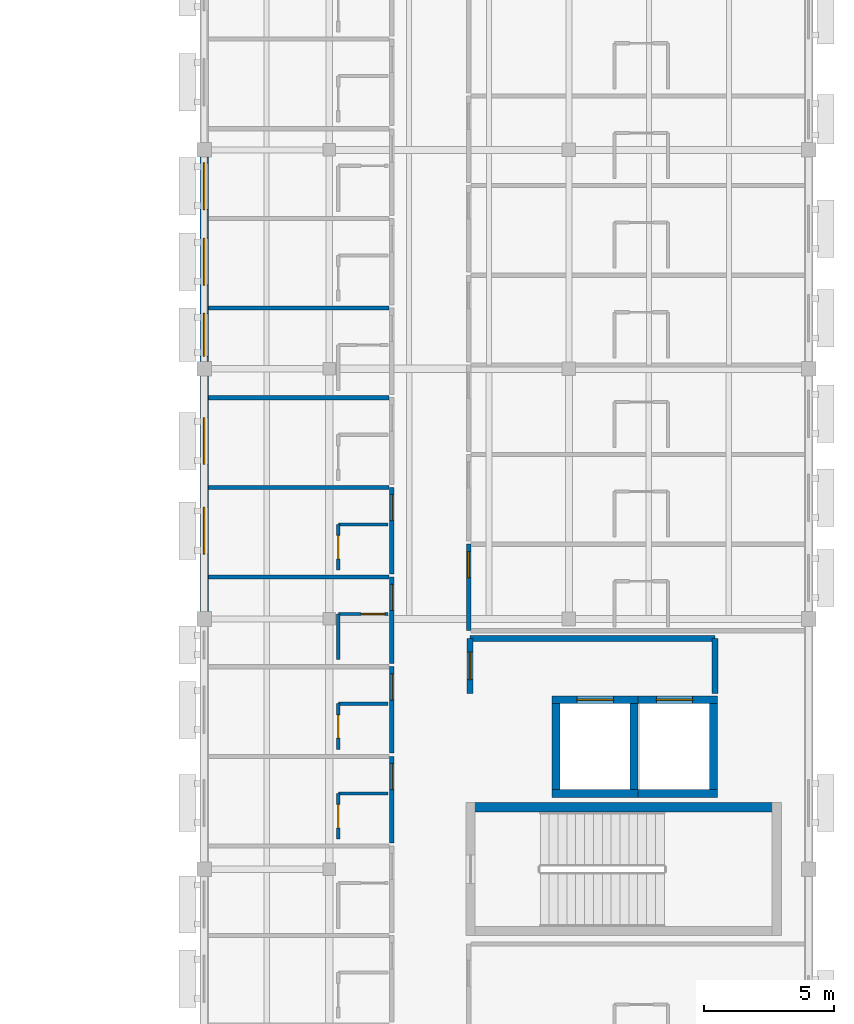
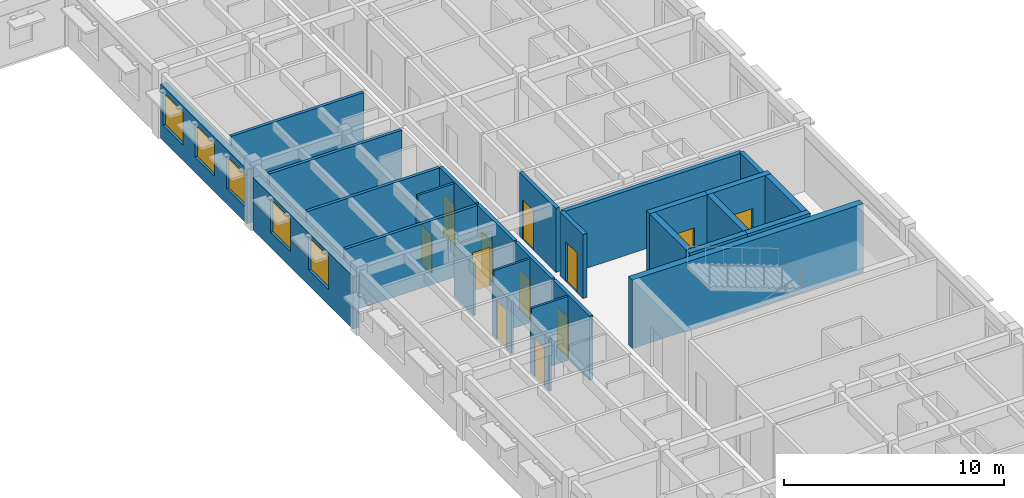
# One storey, part 13 of 31: 30 walls, 12 doors, 5 windows, 17 openings.
"""IFC4 building model written with IfcOpenShell, lengths in metres."""

from ifc_helpers import new_model, si_unit, direction, frame, frame_2d, origin, place, context, subcontext, project, spatial, rectangle, extrude, material, layer, layer_set, type_object, element, fill, save


model = new_model("IFC4")

# Units and contexts
model_context = context("Model", 3, precision=1e-05, world=origin(), true_north=direction((0.0, 1.0)))
body_context = subcontext(model_context, "Body", "Model", "MODEL_VIEW")
ifc_project = project(units=[si_unit("LENGTHUNIT", "METRE"), si_unit("AREAUNIT", "SQUARE_METRE"), si_unit("VOLUMEUNIT", "CUBIC_METRE"), si_unit("PLANEANGLEUNIT", "RADIAN"), si_unit("MASSUNIT", "GRAM", prefix="KILO")], contexts=[model_context])

# Site, building, storey
site_placement = place(None, origin())
site = spatial("IfcSite", under=ifc_project, at=site_placement, CompositionType="ELEMENT")
building_placement = place(site_placement, origin())
building = spatial("IfcBuilding", under=site, at=building_placement, Name="Veldera Park Congress Hotel", CompositionType="ELEMENT")
storey_placement = place(building_placement, frame((0.0, 0.0, 20.0)))
storey = spatial("IfcBuildingStorey", under=building, at=storey_placement, Name="L04", CompositionType="ELEMENT", Elevation=20.0)

# Wall, openings, windows
ifc_material_1 = material(Name="Cross-laminated timber CLT V2M1.1", Category="wood")
ifc_layer_1 = layer(ifc_material_1, 0.320068359375)
ifc_layer_set_1 = layer_set([ifc_layer_1], Name="Cross-laminated timber CLT V2M1.1")
wall_type_1 = type_object("IfcWallType", Name="EW-CLT320", PredefinedType="STANDARD", material=ifc_layer_set_1)
wall_1_placement = place(storey_placement, frame((60.800048828125, 18.322021484375, 0.0), z_axis=(0.0, 0.0, 1.0), x_axis=(0.0, -1.0, 0.0)))
wall_1 = element("IfcWall", 1, at=wall_1_placement, inside=storey, type_object=wall_type_1, Name="L04 Exterior Wall EW3-L04-0268", PredefinedType="STANDARD", context=body_context, shape_type="SweptSolid", body=[
    extrude(rectangle(XDim=7.843994140625, YDim=0.320068359375, at=frame_2d((3.921875, 0.0))), origin(), (0.0, 0.0, 1.0), 3.0048828125),
])
opening_1_placement = place(wall_1_placement, frame((5.992919921875, 0.0, 0.85009765625)))
opening_1 = element("IfcOpeningElement", 2, at=opening_1_placement, cuts=wall_1, Name="Opening WIN-1650", PredefinedType="OPENING", context=body_context, shape_type="SweptSolid", body=[
    extrude(rectangle(XDim=1.64990234375, YDim=1.800048828125, at=frame_2d((0.824951171875, 0.89990234375))), frame((0.0, 0.172119140625, 0.0), z_axis=(0.0, -1.0, 0.0), x_axis=(1.0, 0.0, 0.0)), (0.0, 0.0, 1.0), 0.343994140625),
])
opening_2_placement = place(wall_1_placement, frame((3.112060546875, 0.0, 0.85009765625)))
opening_2 = element("IfcOpeningElement", 3, at=opening_2_placement, cuts=wall_1, Name="Opening WIN-1800", PredefinedType="OPENING", context=body_context, shape_type="SweptSolid", body=[
    extrude(rectangle(XDim=1.800048828125, YDim=1.85009765625, at=frame_2d((0.89990234375, 0.925048828125))), frame((0.0, 0.172119140625, 0.0), z_axis=(0.0, -1.0, 0.0), x_axis=(1.0, 0.0, 0.0)), (0.0, 0.0, 1.0), 0.343994140625),
])
opening_3_placement = place(wall_1_placement, frame((0.216064453125, 0.0, 0.85009765625)))
opening_3 = element("IfcOpeningElement", 4, at=opening_3_placement, cuts=wall_1, Name="Opening WIN-1800", PredefinedType="OPENING", context=body_context, shape_type="SweptSolid", body=[
    extrude(rectangle(XDim=1.800048828125, YDim=1.85009765625, at=frame_2d((0.89990234375, 0.925048828125))), frame((0.0, 0.172119140625, 0.0), z_axis=(0.0, -1.0, 0.0), x_axis=(1.0, 0.0, 0.0)), (0.0, 0.0, 1.0), 0.343994140625),
])
ifc_material_2 = material(Name="Low-E Triple Insulating Glass Unit (SHGC 0.22)", Category="glass")
window_type_1 = type_object("IfcWindowType", Name="WIN-1650", PartitioningType="SINGLE_PANEL", PredefinedType="WINDOW", material=ifc_material_2)
window_1_placement = place(opening_1_placement, origin())
window_1 = element("IfcWindow", 5, at=window_1_placement, inside=storey, type_object=window_type_1, Name="L04 Window WIN-1650 452", OverallHeight=1.800048828125, OverallWidth=1.64990234375, PartitioningType="SINGLE_PANEL", PredefinedType="WINDOW", context=body_context, shape_type="SweptSolid", body=[
    extrude(rectangle(XDim=1.64990234375, YDim=1.800048828125, at=frame_2d((0.824951171875, 0.89990234375))), frame((0.0, 0.030029296875, 0.0), z_axis=(0.0, -1.0, 0.0), x_axis=(1.0, 0.0, 0.0)), (0.0, 0.0, 1.0), 0.06005859375),
])
fill(opening_1, window_1)
window_type_2 = type_object("IfcWindowType", Name="WIN-1800", PartitioningType="SINGLE_PANEL", PredefinedType="WINDOW", material=ifc_material_2)
window_2_placement = place(opening_2_placement, origin())
window_2 = element("IfcWindow", 6, at=window_2_placement, inside=storey, type_object=window_type_2, Name="L04 Window WIN-1800 453", OverallHeight=1.85009765625, OverallWidth=1.800048828125, PartitioningType="SINGLE_PANEL", PredefinedType="WINDOW", context=body_context, shape_type="SweptSolid", body=[
    extrude(rectangle(XDim=1.800048828125, YDim=1.85009765625, at=frame_2d((0.89990234375, 0.925048828125))), frame((0.0, 0.030029296875, 0.0), z_axis=(0.0, -1.0, 0.0), x_axis=(1.0, 0.0, 0.0)), (0.0, 0.0, 1.0), 0.06005859375),
])
fill(opening_2, window_2)
window_3_placement = place(opening_3_placement, origin())
window_3 = element("IfcWindow", 7, at=window_3_placement, inside=storey, type_object=window_type_2, Name="L04 Window WIN-1800 454", OverallHeight=1.85009765625, OverallWidth=1.800048828125, PartitioningType="SINGLE_PANEL", PredefinedType="WINDOW", context=body_context, shape_type="SweptSolid", body=[
    extrude(rectangle(XDim=1.800048828125, YDim=1.85009765625, at=frame_2d((0.89990234375, 0.925048828125))), frame((0.0, 0.030029296875, 0.0), z_axis=(0.0, -1.0, 0.0), x_axis=(1.0, 0.0, 0.0)), (0.0, 0.0, 1.0), 0.06005859375),
])
fill(opening_3, window_3)

wall_2_placement = place(storey_placement, frame((60.800048828125, 9.922119140625, 0.0), z_axis=(0.0, 0.0, 1.0), x_axis=(0.0, -1.0, 0.0)))
wall_2 = element("IfcWall", 8, at=wall_2_placement, inside=storey, type_object=wall_type_1, Name="L04 Exterior Wall EW3-L04-0269", PredefinedType="STANDARD", context=body_context, shape_type="SweptSolid", body=[
    extrude(rectangle(XDim=9.044189453125, YDim=0.320068359375, at=frame_2d((4.52197265625, 0.0))), origin(), (0.0, 0.0, 1.0), 2.905029296875),
])
opening_4_placement = place(wall_2_placement, frame((5.031982421875, 0.0, 0.85009765625)))
opening_4 = element("IfcOpeningElement", 9, at=opening_4_placement, cuts=wall_2, Name="Opening WIN-1800", PredefinedType="OPENING", context=body_context, shape_type="SweptSolid", body=[
    extrude(rectangle(XDim=1.800048828125, YDim=1.85009765625, at=frame_2d((0.89990234375, 0.925048828125))), frame((0.0, 0.172119140625, 0.0), z_axis=(0.0, -1.0, 0.0), x_axis=(1.0, 0.0, 0.0)), (0.0, 0.0, 1.0), 0.343994140625),
])
opening_5_placement = place(wall_2_placement, frame((1.592041015625, 0.0, 0.85009765625)))
opening_5 = element("IfcOpeningElement", 10, at=opening_5_placement, cuts=wall_2, Name="Opening WIN-1800", PredefinedType="OPENING", context=body_context, shape_type="SweptSolid", body=[
    extrude(rectangle(XDim=1.800048828125, YDim=1.85009765625, at=frame_2d((0.89990234375, 0.925048828125))), frame((0.0, 0.172119140625, 0.0), z_axis=(0.0, -1.0, 0.0), x_axis=(1.0, 0.0, 0.0)), (0.0, 0.0, 1.0), 0.343994140625),
])
window_4_placement = place(opening_4_placement, origin())
window_4 = element("IfcWindow", 11, at=window_4_placement, inside=storey, type_object=window_type_2, Name="L04 Window WIN-1800 450", OverallHeight=1.85009765625, OverallWidth=1.800048828125, PartitioningType="SINGLE_PANEL", PredefinedType="WINDOW", context=body_context, shape_type="SweptSolid", body=[
    extrude(rectangle(XDim=1.800048828125, YDim=1.85009765625, at=frame_2d((0.89990234375, 0.925048828125))), frame((0.0, 0.030029296875, 0.0), z_axis=(0.0, -1.0, 0.0), x_axis=(1.0, 0.0, 0.0)), (0.0, 0.0, 1.0), 0.06005859375),
])
fill(opening_4, window_4)
window_5_placement = place(opening_5_placement, origin())
window_5 = element("IfcWindow", 12, at=window_5_placement, inside=storey, type_object=window_type_2, Name="L04 Window WIN-1800 451", OverallHeight=1.85009765625, OverallWidth=1.800048828125, PartitioningType="SINGLE_PANEL", PredefinedType="WINDOW", context=body_context, shape_type="SweptSolid", body=[
    extrude(rectangle(XDim=1.800048828125, YDim=1.85009765625, at=frame_2d((0.89990234375, 0.925048828125))), frame((0.0, 0.030029296875, 0.0), z_axis=(0.0, -1.0, 0.0), x_axis=(1.0, 0.0, 0.0)), (0.0, 0.0, 1.0), 0.06005859375),
])
fill(opening_5, window_5)

# Wall, opening, door
ifc_material_3 = material(Name="Fire-Rated Gypsum Board on Cold-Formed Steel Studs", Category="steel")
ifc_layer_2 = layer(ifc_material_3, 0.1201171875)
ifc_layer_set_2 = layer_set([ifc_layer_2], Name="Fire-Rated Gypsum Board on Cold-Formed Steel Studs")
wall_type_2 = type_object("IfcWallType", Name="IW-BATH120", PredefinedType="PARTITIONING", material=ifc_layer_set_2)
wall_3_placement = place(storey_placement, frame((65.949951171875, -7.840087890625, 0.0), z_axis=(0.0, 0.0, 1.0), x_axis=(0.0, 1.0, 0.0)))
wall_3 = element("IfcWall", 13, at=wall_3_placement, inside=storey, type_object=wall_type_2, Name="L04 Partition Wall IW3-L04-00841", PredefinedType="PARTITIONING", context=body_context, shape_type="SweptSolid", body=[
    extrude(rectangle(XDim=1.75, YDim=0.1201171875, at=frame_2d((0.875, 0.0))), origin(), (0.0, 0.0, 1.0), 2.905029296875),
])
opening_6_placement = place(wall_3_placement, frame((0.425048828125, 0.0, 0.0)))
opening_6 = element("IfcOpeningElement", 14, at=opening_6_placement, cuts=wall_3, Name="Opening ID-BATH090", PredefinedType="OPENING", context=body_context, shape_type="SweptSolid", body=[
    extrude(rectangle(XDim=0.89990234375, YDim=2.14990234375, at=frame_2d((0.449951171875, 1.074951171875))), frame((0.0, 0.072021484375, 0.0), z_axis=(0.0, -1.0, 0.0), x_axis=(1.0, 0.0, 0.0)), (0.0, 0.0, 1.0), 0.14404296875),
])
ifc_material_4 = material(Name="Solid Core White Oak Architectural Door", Category="wood")
door_type_1 = type_object("IfcDoorType", Name="ID-BATH090", OperationType="NOTDEFINED", PredefinedType="DOOR", material=ifc_material_4)
door_1_placement = place(opening_6_placement, origin())
door_1 = element("IfcDoor", 15, at=door_1_placement, inside=storey, type_object=door_type_1, Name="L04 En-suite 104 Door ID3-L04-0347 (DR3-ID3-L04-0347)", OperationType="SINGLE_SWING_LEFT", OverallHeight=2.14990234375, OverallWidth=0.89990234375, PredefinedType="DOOR", context=body_context, shape_type="SweptSolid", body=[
    extrude(rectangle(XDim=0.89990234375, YDim=2.14990234375, at=frame_2d((0.449951171875, 1.074951171875))), frame((0.0, 0.02490234375, 0.0), z_axis=(0.0, -1.0, 0.0), x_axis=(1.0, 0.0, 0.0)), (0.0, 0.0, 1.0), 0.050048828125),
])
fill(opening_6, door_1)

# Wall
wall_4_placement = place(storey_placement, frame((65.949951171875, -6.090087890625, 0.0), z_axis=(0.0, 0.0, 1.0), x_axis=(1.0, 0.0, 0.0)))
element("IfcWall", 16, at=wall_4_placement, inside=storey, type_object=wall_type_2, Name="L04 Partition Wall IW3-L04-00842", PredefinedType="PARTITIONING", context=body_context, shape_type="SweptSolid", body=[
    extrude(rectangle(XDim=1.900146484375, YDim=0.1201171875, at=frame_2d((0.9501953125, 0.0))), origin(), (0.0, 0.0, 1.0), 3.550048828125),
])

# Wall, opening, door
wall_5_placement = place(storey_placement, frame((65.949951171875, -4.39990234375, 0.0), z_axis=(0.0, 0.0, 1.0), x_axis=(0.0, 1.0, 0.0)))
wall_5 = element("IfcWall", 17, at=wall_5_placement, inside=storey, type_object=wall_type_2, Name="L04 Partition Wall IW3-L04-00845", PredefinedType="PARTITIONING", context=body_context, shape_type="SweptSolid", body=[
    extrude(rectangle(XDim=1.75, YDim=0.1201171875, at=frame_2d((0.875, 0.0))), origin(), (0.0, 0.0, 1.0), 2.905029296875),
])
opening_7_placement = place(wall_5_placement, frame((0.425048828125, 0.0, 0.0)))
opening_7 = element("IfcOpeningElement", 18, at=opening_7_placement, cuts=wall_5, Name="Opening ID-BATH090", PredefinedType="OPENING", context=body_context, shape_type="SweptSolid", body=[
    extrude(rectangle(XDim=0.89990234375, YDim=2.14990234375, at=frame_2d((0.449951171875, 1.074951171875))), frame((0.0, 0.072021484375, 0.0), z_axis=(0.0, -1.0, 0.0), x_axis=(1.0, 0.0, 0.0)), (0.0, 0.0, 1.0), 0.14404296875),
])
door_2_placement = place(opening_7_placement, origin())
door_2 = element("IfcDoor", 19, at=door_2_placement, inside=storey, type_object=door_type_1, Name="L04 En-suite 105 Door ID3-L04-0349 (DR3-ID3-L04-0349)", OperationType="SINGLE_SWING_LEFT", OverallHeight=2.14990234375, OverallWidth=0.89990234375, PredefinedType="DOOR", context=body_context, shape_type="SweptSolid", body=[
    extrude(rectangle(XDim=0.89990234375, YDim=2.14990234375, at=frame_2d((0.449951171875, 1.074951171875))), frame((0.0, 0.02490234375, 0.0), z_axis=(0.0, -1.0, 0.0), x_axis=(1.0, 0.0, 0.0)), (0.0, 0.0, 1.0), 0.050048828125),
])
fill(opening_7, door_2)

# Walls
wall_6_placement = place(storey_placement, frame((65.949951171875, -2.64990234375, 0.0), z_axis=(0.0, 0.0, 1.0), x_axis=(1.0, 0.0, 0.0)))
element("IfcWall", 20, at=wall_6_placement, inside=storey, type_object=wall_type_2, Name="L04 Partition Wall IW3-L04-00846", PredefinedType="PARTITIONING", context=body_context, shape_type="SweptSolid", body=[
    extrude(rectangle(XDim=1.900146484375, YDim=0.1201171875, at=frame_2d((0.9501953125, 0.0))), origin(), (0.0, 0.0, 1.0), 3.550048828125),
])
wall_7_placement = place(storey_placement, frame((65.949951171875, -0.9599609375, 0.0), z_axis=(0.0, 0.0, 1.0), x_axis=(0.0, 1.0, 0.0)))
element("IfcWall", 21, at=wall_7_placement, inside=storey, type_object=wall_type_2, Name="L04 Partition Wall IW3-L04-00849", PredefinedType="PARTITIONING", context=body_context, shape_type="SweptSolid", body=[
    extrude(rectangle(XDim=1.75, YDim=0.1201171875, at=frame_2d((0.875, 0.0))), origin(), (0.0, 0.0, 1.0), 2.905029296875),
])

# Wall, opening, door
wall_8_placement = place(storey_placement, frame((65.949951171875, 0.7900390625, 0.0), z_axis=(0.0, 0.0, 1.0), x_axis=(1.0, 0.0, 0.0)))
wall_8 = element("IfcWall", 22, at=wall_8_placement, inside=storey, type_object=wall_type_2, Name="L04 Partition Wall IW3-L04-00850", PredefinedType="PARTITIONING", context=body_context, shape_type="SweptSolid", body=[
    extrude(rectangle(XDim=1.900146484375, YDim=0.1201171875, at=frame_2d((0.9501953125, 0.0))), origin(), (0.0, 0.0, 1.0), 2.905029296875),
])
opening_8_placement = place(wall_8_placement, frame((0.8798828125, 0.0, 0.0)))
opening_8 = element("IfcOpeningElement", 23, at=opening_8_placement, cuts=wall_8, Name="Opening ID-BATH090", PredefinedType="OPENING", context=body_context, shape_type="SweptSolid", body=[
    extrude(rectangle(XDim=0.89990234375, YDim=2.14990234375, at=frame_2d((0.449951171875, 1.074951171875))), frame((0.0, 0.072021484375, 0.0), z_axis=(0.0, -1.0, 0.0), x_axis=(1.0, 0.0, 0.0)), (0.0, 0.0, 1.0), 0.14404296875),
])
door_3_placement = place(opening_8_placement, origin())
door_3 = element("IfcDoor", 24, at=door_3_placement, inside=storey, type_object=door_type_1, Name="L04 En-suite 106 Door ID3-L04-0351 (DR3-ID3-L04-0351)", OperationType="SINGLE_SWING_LEFT", OverallHeight=2.14990234375, OverallWidth=0.89990234375, PredefinedType="DOOR", context=body_context, shape_type="SweptSolid", body=[
    extrude(rectangle(XDim=0.89990234375, YDim=2.14990234375, at=frame_2d((0.449951171875, 1.074951171875))), frame((0.0, 0.02490234375, 0.0), z_axis=(0.0, -1.0, 0.0), x_axis=(1.0, 0.0, 0.0)), (0.0, 0.0, 1.0), 0.050048828125),
])
fill(opening_8, door_3)

wall_9_placement = place(storey_placement, frame((65.949951171875, 2.47998046875, 0.0), z_axis=(0.0, 0.0, 1.0), x_axis=(0.0, 1.0, 0.0)))
wall_9 = element("IfcWall", 25, at=wall_9_placement, inside=storey, type_object=wall_type_2, Name="L04 Partition Wall IW3-L04-00853", PredefinedType="PARTITIONING", context=body_context, shape_type="SweptSolid", body=[
    extrude(rectangle(XDim=1.75, YDim=0.1201171875, at=frame_2d((0.875, 0.0))), origin(), (0.0, 0.0, 1.0), 2.905029296875),
])
opening_9_placement = place(wall_9_placement, frame((0.425048828125, 0.0, 0.0)))
opening_9 = element("IfcOpeningElement", 26, at=opening_9_placement, cuts=wall_9, Name="Opening ID-BATH090", PredefinedType="OPENING", context=body_context, shape_type="SweptSolid", body=[
    extrude(rectangle(XDim=0.89990234375, YDim=2.14990234375, at=frame_2d((0.449951171875, 1.074951171875))), frame((0.0, 0.072021484375, 0.0), z_axis=(0.0, -1.0, 0.0), x_axis=(1.0, 0.0, 0.0)), (0.0, 0.0, 1.0), 0.14404296875),
])
door_4_placement = place(opening_9_placement, origin())
door_4 = element("IfcDoor", 27, at=door_4_placement, inside=storey, type_object=door_type_1, Name="L04 En-suite 107 Door ID3-L04-0353 (DR3-ID3-L04-0353)", OperationType="SINGLE_SWING_LEFT", OverallHeight=2.14990234375, OverallWidth=0.89990234375, PredefinedType="DOOR", context=body_context, shape_type="SweptSolid", body=[
    extrude(rectangle(XDim=0.89990234375, YDim=2.14990234375, at=frame_2d((0.449951171875, 1.074951171875))), frame((0.0, 0.02490234375, 0.0), z_axis=(0.0, -1.0, 0.0), x_axis=(1.0, 0.0, 0.0)), (0.0, 0.0, 1.0), 0.050048828125),
])
fill(opening_9, door_4)

# Wall
wall_10_placement = place(storey_placement, frame((65.949951171875, 4.22998046875, 0.0), z_axis=(0.0, 0.0, 1.0), x_axis=(1.0, 0.0, 0.0)))
element("IfcWall", 28, at=wall_10_placement, inside=storey, type_object=wall_type_2, Name="L04 Partition Wall IW3-L04-00854", PredefinedType="PARTITIONING", context=body_context, shape_type="SweptSolid", body=[
    extrude(rectangle(XDim=1.900146484375, YDim=0.1201171875, at=frame_2d((0.9501953125, 0.0))), origin(), (0.0, 0.0, 1.0), 3.550048828125),
])

# Wall, opening, door
ifc_layer_3 = layer(ifc_material_3, 0.179931640625)
ifc_layer_set_3 = layer_set([ifc_layer_3], Name="Fire-Rated Gypsum Board on Cold-Formed Steel Studs")
wall_type_3 = type_object("IfcWallType", Name="IW-CORR180", PredefinedType="PARTITIONING", material=ifc_layer_set_3)
wall_11_placement = place(storey_placement, frame((68.0, -7.989990234375, 0.0), z_axis=(0.0, 0.0, 1.0), x_axis=(0.0, 1.0, 0.0)))
wall_11 = element("IfcWall", 29, at=wall_11_placement, inside=storey, type_object=wall_type_3, Name="L04 Corridor Wall IW3-L04-00839", PredefinedType="PARTITIONING", context=body_context, shape_type="SweptSolid", body=[
    extrude(rectangle(XDim=3.320068359375, YDim=0.179931640625, at=frame_2d((1.66015625, 0.0))), origin(), (0.0, 0.0, 1.0), 3.550048828125),
])
opening_10_placement = place(wall_11_placement, frame((2.0400390625, 0.0, 0.0)))
opening_10 = element("IfcOpeningElement", 30, at=opening_10_placement, cuts=wall_11, Name="Opening ID-UNIT100", PredefinedType="OPENING", context=body_context, shape_type="SweptSolid", body=[
    extrude(rectangle(XDim=1.0, YDim=2.199951171875, at=frame_2d((0.5, 1.10009765625))), frame((0.0, 0.10205078125, 0.0), z_axis=(0.0, -1.0, 0.0), x_axis=(1.0, 0.0, 0.0)), (0.0, 0.0, 1.0), 0.203857421875),
])
door_type_2 = type_object("IfcDoorType", Name="ID-UNIT100", OperationType="NOTDEFINED", PredefinedType="DOOR", material=ifc_material_4)
door_5_placement = place(opening_10_placement, origin())
door_5 = element("IfcDoor", 31, at=door_5_placement, inside=storey, type_object=door_type_2, Name="L04 Guestroom 104 Entry Door (DR3-UD3-L04-104)", OperationType="SINGLE_SWING_RIGHT", OverallHeight=2.199951171875, OverallWidth=1.0, PredefinedType="DOOR", context=body_context, shape_type="SweptSolid", body=[
    extrude(rectangle(XDim=1.0, YDim=2.199951171875, at=frame_2d((0.5, 1.10009765625))), frame((0.0, 0.02490234375, 0.0), z_axis=(0.0, -1.0, 0.0), x_axis=(1.0, 0.0, 0.0)), (0.0, 0.0, 1.0), 0.050048828125),
])
fill(opening_10, door_5)

wall_12_placement = place(storey_placement, frame((68.0, -4.550048828125, 0.0), z_axis=(0.0, 0.0, 1.0), x_axis=(0.0, 1.0, 0.0)))
wall_12 = element("IfcWall", 32, at=wall_12_placement, inside=storey, type_object=wall_type_3, Name="L04 Corridor Wall IW3-L04-00843", PredefinedType="PARTITIONING", context=body_context, shape_type="SweptSolid", body=[
    extrude(rectangle(XDim=3.320068359375, YDim=0.179931640625, at=frame_2d((1.66015625, 0.0))), origin(), (0.0, 0.0, 1.0), 3.550048828125),
])
opening_11_placement = place(wall_12_placement, frame((2.0400390625, 0.0, 0.0)))
opening_11 = element("IfcOpeningElement", 33, at=opening_11_placement, cuts=wall_12, Name="Opening ID-UNIT100", PredefinedType="OPENING", context=body_context, shape_type="SweptSolid", body=[
    extrude(rectangle(XDim=1.0, YDim=2.199951171875, at=frame_2d((0.5, 1.10009765625))), frame((0.0, 0.10205078125, 0.0), z_axis=(0.0, -1.0, 0.0), x_axis=(1.0, 0.0, 0.0)), (0.0, 0.0, 1.0), 0.203857421875),
])
door_6_placement = place(opening_11_placement, origin())
door_6 = element("IfcDoor", 34, at=door_6_placement, inside=storey, type_object=door_type_2, Name="L04 Guestroom 105 Entry Door (DR3-UD3-L04-105)", OperationType="SINGLE_SWING_RIGHT", OverallHeight=2.199951171875, OverallWidth=1.0, PredefinedType="DOOR", context=body_context, shape_type="SweptSolid", body=[
    extrude(rectangle(XDim=1.0, YDim=2.199951171875, at=frame_2d((0.5, 1.10009765625))), frame((0.0, 0.02490234375, 0.0), z_axis=(0.0, -1.0, 0.0), x_axis=(1.0, 0.0, 0.0)), (0.0, 0.0, 1.0), 0.050048828125),
])
fill(opening_11, door_6)

wall_13_placement = place(storey_placement, frame((68.0, -1.110107421875, 0.0), z_axis=(0.0, 0.0, 1.0), x_axis=(0.0, 1.0, 0.0)))
wall_13 = element("IfcWall", 35, at=wall_13_placement, inside=storey, type_object=wall_type_3, Name="L04 Corridor Wall IW3-L04-00847", PredefinedType="PARTITIONING", context=body_context, shape_type="SweptSolid", body=[
    extrude(rectangle(XDim=3.320068359375, YDim=0.179931640625, at=frame_2d((1.66015625, 0.0))), origin(), (0.0, 0.0, 1.0), 3.550048828125),
])
opening_12_placement = place(wall_13_placement, frame((2.0400390625, 0.0, 0.0)))
opening_12 = element("IfcOpeningElement", 36, at=opening_12_placement, cuts=wall_13, Name="Opening ID-UNIT100", PredefinedType="OPENING", context=body_context, shape_type="SweptSolid", body=[
    extrude(rectangle(XDim=1.0, YDim=2.199951171875, at=frame_2d((0.5, 1.10009765625))), frame((0.0, 0.10205078125, 0.0), z_axis=(0.0, -1.0, 0.0), x_axis=(1.0, 0.0, 0.0)), (0.0, 0.0, 1.0), 0.203857421875),
])
door_7_placement = place(opening_12_placement, origin())
door_7 = element("IfcDoor", 37, at=door_7_placement, inside=storey, type_object=door_type_2, Name="L04 Guestroom 106 Entry Door (DR3-UD3-L04-106)", OperationType="SINGLE_SWING_RIGHT", OverallHeight=2.199951171875, OverallWidth=1.0, PredefinedType="DOOR", context=body_context, shape_type="SweptSolid", body=[
    extrude(rectangle(XDim=1.0, YDim=2.199951171875, at=frame_2d((0.5, 1.10009765625))), frame((0.0, 0.02490234375, 0.0), z_axis=(0.0, -1.0, 0.0), x_axis=(1.0, 0.0, 0.0)), (0.0, 0.0, 1.0), 0.050048828125),
])
fill(opening_12, door_7)

wall_14_placement = place(storey_placement, frame((68.0, 2.330078125, 0.0), z_axis=(0.0, 0.0, 1.0), x_axis=(0.0, 1.0, 0.0)))
wall_14 = element("IfcWall", 38, at=wall_14_placement, inside=storey, type_object=wall_type_3, Name="L04 Corridor Wall IW3-L04-00851", PredefinedType="PARTITIONING", context=body_context, shape_type="SweptSolid", body=[
    extrude(rectangle(XDim=3.31982421875, YDim=0.179931640625, at=frame_2d((1.659912109375, 0.0))), origin(), (0.0, 0.0, 1.0), 3.550048828125),
])
opening_13_placement = place(wall_14_placement, frame((2.0400390625, 0.0, 0.0)))
opening_13 = element("IfcOpeningElement", 39, at=opening_13_placement, cuts=wall_14, Name="Opening ID-UNIT100", PredefinedType="OPENING", context=body_context, shape_type="SweptSolid", body=[
    extrude(rectangle(XDim=1.0, YDim=2.199951171875, at=frame_2d((0.5, 1.10009765625))), frame((0.0, 0.10205078125, 0.0), z_axis=(0.0, -1.0, 0.0), x_axis=(1.0, 0.0, 0.0)), (0.0, 0.0, 1.0), 0.203857421875),
])
door_8_placement = place(opening_13_placement, origin())
door_8 = element("IfcDoor", 40, at=door_8_placement, inside=storey, type_object=door_type_2, Name="L04 Guestroom 107 Entry Door (DR3-UD3-L04-107)", OperationType="SINGLE_SWING_RIGHT", OverallHeight=2.199951171875, OverallWidth=1.0, PredefinedType="DOOR", context=body_context, shape_type="SweptSolid", body=[
    extrude(rectangle(XDim=1.0, YDim=2.199951171875, at=frame_2d((0.5, 1.10009765625))), frame((0.0, 0.02490234375, 0.0), z_axis=(0.0, -1.0, 0.0), x_axis=(1.0, 0.0, 0.0)), (0.0, 0.0, 1.0), 0.050048828125),
])
fill(opening_13, door_8)

wall_15_placement = place(storey_placement, frame((70.949951171875, 3.469970703125, 0.0), z_axis=(0.0, 0.0, 1.0), x_axis=(0.0, -1.0, 0.0)))
wall_15 = element("IfcWall", 41, at=wall_15_placement, inside=storey, type_object=wall_type_3, Name="L04 Corridor Wall IW3-L04-00930", PredefinedType="PARTITIONING", context=body_context, shape_type="SweptSolid", body=[
    extrude(rectangle(XDim=3.320068359375, YDim=0.179931640625, at=frame_2d((1.66015625, 0.0))), origin(), (0.0, 0.0, 1.0), 3.550048828125),
])
opening_14_placement = place(wall_15_placement, frame((0.280029296875, 0.0, 0.0)))
opening_14 = element("IfcOpeningElement", 42, at=opening_14_placement, cuts=wall_15, Name="Opening ID-UNIT100", PredefinedType="OPENING", context=body_context, shape_type="SweptSolid", body=[
    extrude(rectangle(XDim=1.0, YDim=2.199951171875, at=frame_2d((0.5, 1.10009765625))), frame((0.0, 0.10205078125, 0.0), z_axis=(0.0, -1.0, 0.0), x_axis=(1.0, 0.0, 0.0)), (0.0, 0.0, 1.0), 0.203857421875),
])
door_9_placement = place(opening_14_placement, origin())
door_9 = element("IfcDoor", 43, at=door_9_placement, inside=storey, type_object=door_type_2, Name="L04 Guestroom 124 Entry Door (DR3-UD3-L04-124)", OperationType="SINGLE_SWING_RIGHT", OverallHeight=2.199951171875, OverallWidth=1.0, PredefinedType="DOOR", context=body_context, shape_type="SweptSolid", body=[
    extrude(rectangle(XDim=1.0, YDim=2.199951171875, at=frame_2d((0.5, 1.10009765625))), frame((0.0, 0.02490234375, 0.0), z_axis=(0.0, -1.0, 0.0), x_axis=(1.0, 0.0, 0.0)), (0.0, 0.0, 1.0), 0.050048828125),
])
fill(opening_14, door_9)

# Walls
ifc_material_5 = material(Name="Concrete f'c 40 MPa (5,800 psi)", Category="concrete")
ifc_layer_4 = layer(ifc_material_5, 0.219970703125)
ifc_layer_set_4 = layer_set([ifc_layer_4], Name="Concrete f'c 40 MPa (5,800 psi)")
wall_type_4 = type_object("IfcWallType", Name="IW-FIRE220", PredefinedType="STANDARD", material=ifc_layer_set_4)
wall_16_placement = place(storey_placement, frame((80.39990234375, -2.25, 0.0), z_axis=(0.0, 0.0, 1.0), x_axis=(0.0, 1.0, 0.0)))
element("IfcWall", 44, at=wall_16_placement, inside=storey, type_object=wall_type_4, Name="L04 Partition Wall IW3-L04-00236", PredefinedType="STANDARD", context=body_context, shape_type="SweptSolid", body=[
    extrude(rectangle(XDim=2.10009765625, YDim=0.219970703125, at=frame_2d((1.050048828125, 0.0))), origin(), (0.0, 0.0, 1.0), 3.550048828125),
])
wall_17_placement = place(storey_placement, frame((80.39990234375, -0.14990234375, 0.0), z_axis=(0.0, 0.0, 1.0), x_axis=(-1.0, 0.0, 0.0)))
element("IfcWall", 45, at=wall_17_placement, inside=storey, type_object=wall_type_4, Name="L04 Partition Wall IW3-L04-00237", PredefinedType="STANDARD", context=body_context, shape_type="SweptSolid", body=[
    extrude(rectangle(XDim=9.39990234375, YDim=0.219970703125, at=frame_2d((4.699951171875, 0.0))), origin(), (0.0, 0.0, 1.0), 3.550048828125),
])

# Wall, opening, door
wall_18_placement = place(storey_placement, frame((71.0, -0.14990234375, 0.0), z_axis=(0.0, 0.0, 1.0), x_axis=(0.0, -1.0, 0.0)))
wall_18 = element("IfcWall", 46, at=wall_18_placement, inside=storey, type_object=wall_type_4, Name="L04 Partition Wall IW3-L04-00238", PredefinedType="STANDARD", context=body_context, shape_type="SweptSolid", body=[
    extrude(rectangle(XDim=2.10009765625, YDim=0.219970703125, at=frame_2d((1.050048828125, 0.0))), origin(), (0.0, 0.0, 1.0), 3.550048828125),
])
opening_15_placement = place(wall_18_placement, frame((0.52490234375, 0.0, 0.0)))
opening_15 = element("IfcOpeningElement", 47, at=opening_15_placement, cuts=wall_18, Name="Opening ID-MEET105", PredefinedType="OPENING", context=body_context, shape_type="SweptSolid", body=[
    extrude(rectangle(XDim=1.050048828125, YDim=2.199951171875, at=frame_2d((0.52490234375, 1.10009765625))), frame((0.0, 0.1220703125, 0.0), z_axis=(0.0, -1.0, 0.0), x_axis=(1.0, 0.0, 0.0)), (0.0, 0.0, 1.0), 0.243896484375),
])
door_type_3 = type_object("IfcDoorType", Name="ID-MEET105", OperationType="NOTDEFINED", PredefinedType="DOOR", material=ifc_material_4)
door_10_placement = place(opening_15_placement, origin())
door_10 = element("IfcDoor", 48, at=door_10_placement, inside=storey, type_object=door_type_3, Name="L04 Service Lift Lobby Door ID3-L04-0086 (DR3-ID3-L04-0086)", OperationType="SINGLE_SWING_LEFT", OverallHeight=2.199951171875, OverallWidth=1.050048828125, PredefinedType="DOOR", context=body_context, shape_type="SweptSolid", body=[
    extrude(rectangle(XDim=1.050048828125, YDim=2.199951171875, at=frame_2d((0.52490234375, 1.10009765625))), frame((0.0, 0.02490234375, 0.0), z_axis=(0.0, -1.0, 0.0), x_axis=(1.0, 0.0, 0.0)), (0.0, 0.0, 1.0), 0.050048828125),
])
fill(opening_15, door_10)

# Walls
ifc_layer_5 = layer(ifc_material_1, 0.159912109375)
ifc_layer_set_5 = layer_set([ifc_layer_5], Name="Cross-laminated timber CLT V2M1.1")
wall_type_5 = type_object("IfcWallType", Name="IW-UNIT160", PredefinedType="PARTITIONING", material=ifc_layer_set_5)
for number, where, z_axis, x_axis, name in (
    (49, (60.9599609375, 2.2099609375, 0.0), (0.0, 0.0, 1.0), (1.0, 0.0, 0.0), "L04 Partition Wall IW3-L04-00848"),
    (50, (60.9599609375, 5.64990234375, 0.0), (0.0, 0.0, 1.0), (1.0, 0.0, 0.0), "L04 Partition Wall IW3-L04-00852"),
    (51, (60.9599609375, 9.090087890625, 0.0), (0.0, 0.0, 1.0), (1.0, 0.0, 0.0), "L04 Partition Wall IW3-L04-00856"),
    (52, (60.9599609375, 12.530029296875, 0.0), (0.0, 0.0, 1.0), (1.0, 0.0, 0.0), "L04 Partition Wall IW3-L04-00860"),
):
    element("IfcWall", number, at=place(storey_placement, frame(where, z_axis=z_axis, x_axis=x_axis)), inside=storey, type_object=wall_type_5, Name=name, PredefinedType="PARTITIONING", context=body_context, shape_type="SweptSolid", body=[
        extrude(rectangle(XDim=6.93994140625, YDim=0.159912109375, at=frame_2d((3.469970703125, 0.0))), origin(), (0.0, 0.0, 1.0), 3.550048828125),
    ])
ifc_layer_6 = layer(ifc_material_5, 0.35009765625)
ifc_layer_set_6 = layer_set([ifc_layer_6], Name="Concrete f'c 40 MPa (5,800 psi)")
wall_type_6 = type_object("IfcWallType", Name="SW-CORE350", PredefinedType="SHEAR", material=ifc_layer_set_6)
wall_19_placement = place(storey_placement, frame((82.949951171875, -6.625, 0.0), z_axis=(0.0, 0.0, 1.0), x_axis=(-1.0, 0.0, 0.0)))
element("IfcWall", 53, at=wall_19_placement, inside=storey, type_object=wall_type_6, Name="Stair ST2 Core Wall L04-N", PredefinedType="SHEAR", context=body_context, shape_type="SweptSolid", body=[
    extrude(rectangle(XDim=12.099853515625, YDim=0.35009765625, at=frame_2d((6.0498046875, 0.0))), origin(), (0.0, 0.0, 1.0), 3.800048828125),
])
ifc_layer_7 = layer(ifc_material_5, 0.300048828125)
ifc_layer_set_7 = layer_set([ifc_layer_7], Name="Concrete f'c 40 MPa (5,800 psi)")
wall_type_7 = type_object("IfcWallType", Name="SW-SHFT300", PredefinedType="SHEAR", material=ifc_layer_set_7)
wall_20_placement = place(storey_placement, frame((74.14990234375, -6.10009765625, 0.0), z_axis=(0.0, 0.0, 1.0), x_axis=(1.0, 0.0, 0.0)))
element("IfcWall", 54, at=wall_20_placement, inside=storey, type_object=wall_type_7, Name="Lift SL-01 Shaft Wall L04-S", PredefinedType="SHEAR", context=body_context, shape_type="SweptSolid", body=[
    extrude(rectangle(XDim=3.300048828125, YDim=0.300048828125, at=frame_2d((1.64990234375, 0.0))), origin(), (0.0, 0.0, 1.0), 3.800048828125),
])

# Wall, opening, door
wall_21_placement = place(storey_placement, frame((77.449951171875, -2.5, 0.0), z_axis=(0.0, 0.0, 1.0), x_axis=(-1.0, 0.0, 0.0)))
wall_21 = element("IfcWall", 55, at=wall_21_placement, inside=storey, type_object=wall_type_7, Name="Lift SL-01 Shaft Wall L04-N", PredefinedType="SHEAR", context=body_context, shape_type="SweptSolid", body=[
    extrude(rectangle(XDim=3.300048828125, YDim=0.300048828125, at=frame_2d((1.64990234375, 0.0))), origin(), (0.0, 0.0, 1.0), 3.800048828125),
])
opening_16_placement = place(wall_21_placement, frame((0.949951171875, 0.0, 0.0)))
opening_16 = element("IfcOpeningElement", 56, at=opening_16_placement, cuts=wall_21, Name="Opening LD-140", PredefinedType="OPENING", context=body_context, shape_type="SweptSolid", body=[
    extrude(rectangle(XDim=1.39990234375, YDim=2.199951171875, at=frame_2d((0.699951171875, 1.10009765625))), frame((0.0, 0.162109375, 0.0), z_axis=(0.0, -1.0, 0.0), x_axis=(1.0, 0.0, 0.0)), (0.0, 0.0, 1.0), 0.323974609375),
])
ifc_material_6 = material(Name="Hollow Metal Fire-Rated Steel Door", Category="steel")
door_type_4 = type_object("IfcDoorType", Name="LD-140", OperationType="DOUBLE_DOOR_SLIDING", PredefinedType="DOOR", material=ifc_material_6)
door_11_placement = place(opening_16_placement, origin())
door_11 = element("IfcDoor", 57, at=door_11_placement, inside=storey, type_object=door_type_4, Name="L04 Lift SL-01 Landing Door (DR3-LD-SL-01-L04)", OperationType="DOUBLE_DOOR_SLIDING", OverallHeight=2.199951171875, OverallWidth=1.39990234375, PredefinedType="DOOR", context=body_context, shape_type="SweptSolid", body=[
    extrude(rectangle(XDim=1.39990234375, YDim=2.199951171875, at=frame_2d((0.699951171875, 1.10009765625))), frame((0.0, 0.02490234375, 0.0), z_axis=(0.0, -1.0, 0.0), x_axis=(1.0, 0.0, 0.0)), (0.0, 0.0, 1.0), 0.050048828125),
])
fill(opening_16, door_11)

# Walls
for number, where, z_axis, x_axis, name in (
    (58, (77.300048828125, -5.949951171875, 0.0), (0.0, 0.0, 1.0), (0.0, 1.0, 0.0), "Lift SL-01 Shaft Wall L04-E"),
    (59, (74.300048828125, -2.64990234375, 0.0), (0.0, 0.0, 1.0), (0.0, -1.0, 0.0), "Lift SL-01 Shaft Wall L04-W"),
    (60, (77.199951171875, -6.10009765625, 0.0), (0.0, 0.0, 1.0), (1.0, 0.0, 0.0), "Lift SL-02 Shaft Wall L04-S"),
):
    element("IfcWall", number, at=place(storey_placement, frame(where, z_axis=z_axis, x_axis=x_axis)), inside=storey, type_object=wall_type_7, Name=name, PredefinedType="SHEAR", context=body_context, shape_type="SweptSolid", body=[
        extrude(rectangle(XDim=3.300048828125, YDim=0.300048828125, at=frame_2d((1.64990234375, 0.0))), origin(), (0.0, 0.0, 1.0), 3.800048828125),
    ])

# Wall, opening, door
wall_22_placement = place(storey_placement, frame((80.5, -2.5, 0.0), z_axis=(0.0, 0.0, 1.0), x_axis=(-1.0, 0.0, 0.0)))
wall_22 = element("IfcWall", 61, at=wall_22_placement, inside=storey, type_object=wall_type_7, Name="Lift SL-02 Shaft Wall L04-N", PredefinedType="SHEAR", context=body_context, shape_type="SweptSolid", body=[
    extrude(rectangle(XDim=3.300048828125, YDim=0.300048828125, at=frame_2d((1.64990234375, 0.0))), origin(), (0.0, 0.0, 1.0), 3.800048828125),
])
opening_17_placement = place(wall_22_placement, frame((0.949951171875, 0.0, 0.0)))
opening_17 = element("IfcOpeningElement", 62, at=opening_17_placement, cuts=wall_22, Name="Opening LD-140", PredefinedType="OPENING", context=body_context, shape_type="SweptSolid", body=[
    extrude(rectangle(XDim=1.39990234375, YDim=2.199951171875, at=frame_2d((0.699951171875, 1.10009765625))), frame((0.0, 0.162109375, 0.0), z_axis=(0.0, -1.0, 0.0), x_axis=(1.0, 0.0, 0.0)), (0.0, 0.0, 1.0), 0.323974609375),
])
door_12_placement = place(opening_17_placement, origin())
door_12 = element("IfcDoor", 63, at=door_12_placement, inside=storey, type_object=door_type_4, Name="L04 Lift SL-02 Landing Door (DR3-LD-SL-02-L04)", OperationType="DOUBLE_DOOR_SLIDING", OverallHeight=2.199951171875, OverallWidth=1.39990234375, PredefinedType="DOOR", context=body_context, shape_type="SweptSolid", body=[
    extrude(rectangle(XDim=1.39990234375, YDim=2.199951171875, at=frame_2d((0.699951171875, 1.10009765625))), frame((0.0, 0.02490234375, 0.0), z_axis=(0.0, -1.0, 0.0), x_axis=(1.0, 0.0, 0.0)), (0.0, 0.0, 1.0), 0.050048828125),
])
fill(opening_17, door_12)

# Wall
wall_23_placement = place(storey_placement, frame((80.35009765625, -5.949951171875, 0.0), z_axis=(0.0, 0.0, 1.0), x_axis=(0.0, 1.0, 0.0)))
element("IfcWall", 64, at=wall_23_placement, inside=storey, type_object=wall_type_7, Name="Lift SL-02 Shaft Wall L04-E", PredefinedType="SHEAR", context=body_context, shape_type="SweptSolid", body=[
    extrude(rectangle(XDim=3.300048828125, YDim=0.300048828125, at=frame_2d((1.64990234375, 0.0))), origin(), (0.0, 0.0, 1.0), 3.800048828125),
])

save(model, "model.ifc")
